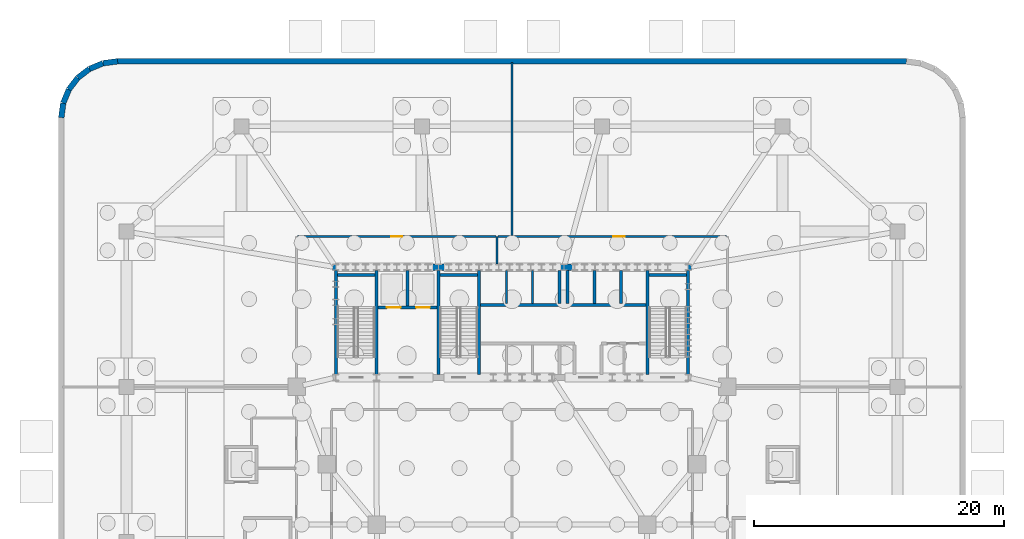
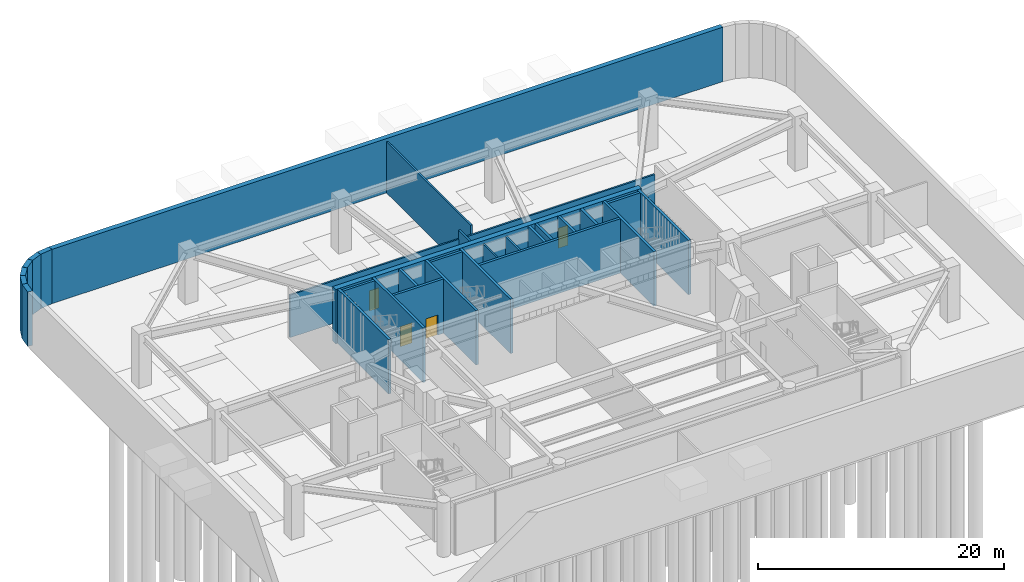
# One storey, part 6 of 11: 30 walls, 4 doors, 4 openings.
"""IFC4 building model written with IfcOpenShell, lengths in metres."""

from ifc_helpers import new_model, si_unit, direction, frame, frame_2d, origin, place, context, subcontext, project, spatial, rectangle, extrude, material, layer, layer_set, type_object, element, fill, save


model = new_model("IFC4")

# Units and contexts
model_context = context("Model", 3, precision=1e-05, world=origin(), true_north=direction((0.0, 1.0)))
body_context = subcontext(model_context, "Body", "Model", "MODEL_VIEW")
ifc_project = project(units=[si_unit("LENGTHUNIT", "METRE"), si_unit("AREAUNIT", "SQUARE_METRE"), si_unit("VOLUMEUNIT", "CUBIC_METRE"), si_unit("PLANEANGLEUNIT", "RADIAN"), si_unit("MASSUNIT", "GRAM", prefix="KILO")], contexts=[model_context])

# Site, building, storey
site_placement = place(None, origin())
site = spatial("IfcSite", under=ifc_project, at=site_placement, CompositionType="ELEMENT")
building_placement = place(site_placement, origin())
building = spatial("IfcBuilding", under=site, at=building_placement, Name="Haldorwick Loom Tower", CompositionType="ELEMENT")
storey_placement = place(building_placement, frame((0.0, 0.0, -5.39990234375)))
storey = spatial("IfcBuildingStorey", under=building, at=storey_placement, Name="B01", CompositionType="ELEMENT", Elevation=-5.39990234375)

# Wall
ifc_material_1 = material(Name="Fire-Rated Type X Gypsum Stud Assembly EI 60")
ifc_layer_1 = layer(ifc_material_1, 0.159912109375, Name="Fire-Rated Type X Gypsum Stud Assembly EI 60")
ifc_layer_set_1 = layer_set([ifc_layer_1], Name="Fire-Rated Type X Gypsum Stud Assembly EI 60")
wall_type_1 = type_object("IfcWallType", Name="ARC-WL-FIRE160", PredefinedType="PARTITIONING", material=ifc_layer_set_1)
wall_1_placement = place(storey_placement, frame((34.800048828125, 35.802978515625, 0.0), z_axis=(0.0, 0.0, 1.0), x_axis=(0.0, 1.0, 0.0)))
element("IfcWall", 1, at=wall_1_placement, inside=storey, type_object=wall_type_1, Name="B01 Podium Partition B01-CNB", PredefinedType="PARTITIONING", context=body_context, shape_type="SweptSolid", body=[
    extrude(rectangle(XDim=2.197021484375, YDim=0.159912109375, at=frame_2d((1.0986328125, 0.0))), origin(), (0.0, 0.0, 1.0), 5.0849609375),
])

# Wall, opening, door
wall_2_placement = place(storey_placement, frame((18.883056640625, 38.0, 0.0), z_axis=(0.0, 0.0, 1.0), x_axis=(1.0, 0.0, 0.0)))
wall_2 = element("IfcWall", 2, at=wall_2_placement, inside=storey, type_object=wall_type_1, Name="B01 Podium Partition B01-CN0", PredefinedType="PARTITIONING", context=body_context, shape_type="SweptSolid", body=[
    extrude(rectangle(XDim=15.833984375, YDim=0.159912109375, at=frame_2d((7.9169921875, 0.0))), origin(), (0.0, 0.0, 1.0), 4.219970703125),
])
opening_1_placement = place(wall_2_placement, frame((7.467041015625, 0.0, 0.0)))
opening_1 = element("IfcOpeningElement", 3, at=opening_1_placement, cuts=wall_2, Name="Opening D-FD60A", PredefinedType="OPENING", context=body_context, shape_type="SweptSolid", body=[
    extrude(rectangle(XDim=0.89990234375, YDim=2.0, at=frame_2d((0.449951171875, 1.0))), frame((0.0, 0.08984375, 0.0), z_axis=(0.0, -1.0, 0.0), x_axis=(1.0, 0.0, 0.0)), (0.0, 0.0, 1.0), 0.179931640625),
])
ifc_material_2 = material(Name="Hollow Steel Fire Door Assembly", Category="steel")
door_type_1 = type_object("IfcDoorType", Name="ARC-DR-FD60-90", OperationType="NOTDEFINED", PredefinedType="DOOR", material=ifc_material_2)
door_1_placement = place(opening_1_placement, frame((0.89990234375, 0.0, 0.0), z_axis=(0.0, 0.0, 1.0), x_axis=(-1.0, 0.0, 0.0)))
door_1 = element("IfcDoor", 4, at=door_1_placement, inside=storey, type_object=door_type_1, Name="B01 Primary Air Handling Plant to Basement Core Service Corridor Door", OperationType="SINGLE_SWING_LEFT", OverallHeight=2.0, OverallWidth=0.89990234375, PredefinedType="DOOR", context=body_context, shape_type="SweptSolid", body=[
    extrude(rectangle(XDim=0.89990234375, YDim=2.0, at=frame_2d((0.449951171875, 1.0))), frame((0.0, 0.02490234375, 0.0), z_axis=(0.0, -1.0, 0.0), x_axis=(1.0, 0.0, 0.0)), (0.0, 0.0, 1.0), 0.050048828125),
])
fill(opening_1, door_1)

wall_3_placement = place(storey_placement, frame((34.883056640625, 38.0, 0.0), z_axis=(0.0, 0.0, 1.0), x_axis=(1.0, 0.0, 0.0)))
wall_3 = element("IfcWall", 5, at=wall_3_placement, inside=storey, type_object=wall_type_1, Name="B01 Podium Partition B01-CN0", PredefinedType="PARTITIONING", context=body_context, shape_type="SweptSolid", body=[
    extrude(rectangle(XDim=18.23388671875, YDim=0.159912109375, at=frame_2d((9.116943359375, 0.0))), origin(), (0.0, 0.0, 1.0), 4.219970703125),
])
opening_2_placement = place(wall_3_placement, frame((9.222900390625, 0.0, 0.0)))
opening_2 = element("IfcOpeningElement", 6, at=opening_2_placement, cuts=wall_3, Name="Opening D-FD60A", PredefinedType="OPENING", context=body_context, shape_type="SweptSolid", body=[
    extrude(rectangle(XDim=0.89990234375, YDim=2.0, at=frame_2d((0.449951171875, 1.0))), frame((0.0, 0.08984375, 0.0), z_axis=(0.0, -1.0, 0.0), x_axis=(1.0, 0.0, 0.0)), (0.0, 0.0, 1.0), 0.179931640625),
])
door_2_placement = place(opening_2_placement, frame((0.89990234375, 0.0, 0.0), z_axis=(0.0, 0.0, 1.0), x_axis=(-1.0, 0.0, 0.0)))
door_2 = element("IfcDoor", 7, at=door_2_placement, inside=storey, type_object=door_type_1, Name="B01 Station Equipment Storage to Basement Core Service Corridor Door", OperationType="SINGLE_SWING_RIGHT", OverallHeight=2.0, OverallWidth=0.89990234375, PredefinedType="DOOR", context=body_context, shape_type="SweptSolid", body=[
    extrude(rectangle(XDim=0.89990234375, YDim=2.0, at=frame_2d((0.449951171875, 1.0))), frame((0.0, 0.02490234375, 0.0), z_axis=(0.0, -1.0, 0.0), x_axis=(1.0, 0.0, 0.0)), (0.0, 0.0, 1.0), 0.050048828125),
])
fill(opening_2, door_2)

# Walls
wall_4_placement = place(storey_placement, frame((36.0, 38.0830078125, 0.0), z_axis=(0.0, 0.0, 1.0), x_axis=(0.0, 1.0, 0.0)))
element("IfcWall", 8, at=wall_4_placement, inside=storey, type_object=wall_type_1, Name="B01 Podium Partition B01-DV2", PredefinedType="PARTITIONING", context=body_context, shape_type="SweptSolid", body=[
    extrude(rectangle(XDim=13.81689453125, YDim=0.159912109375, at=frame_2d((6.908447265625, 0.0))), origin(), (0.0, 0.0, 1.0), 5.0849609375),
])
ifc_material_3 = material(Name="Fire-Rated Type X Gypsum Stud Assembly EI 120")
ifc_layer_2 = layer(ifc_material_3, 0.1650390625, Name="Fire-Rated Type X Gypsum Stud Assembly EI 120")
ifc_layer_set_2 = layer_set([ifc_layer_2], Name="Fire-Rated Type X Gypsum Stud Assembly EI 120")
wall_type_2 = type_object("IfcWallType", Name="ARC-WL-SHAFT160", PredefinedType="MOVABLE", material=ifc_layer_set_2)
for number, where, z_axis, x_axis, name in (
    (9, (35.550048828125, 32.673095703125, 0.0), (0.0, 0.0, 1.0), (0.0, 1.0, 0.0), "B01 Low-Rise Hoistway Divider 1"),
    (10, (37.64990234375, 32.673095703125, 0.0), (0.0, 0.0, 1.0), (0.0, 1.0, 0.0), "B01 Low-Rise Hoistway Divider 2"),
):
    element("IfcWall", number, at=place(storey_placement, frame(where, z_axis=z_axis, x_axis=x_axis)), inside=storey, type_object=wall_type_2, Name=name, PredefinedType="MOVABLE", context=body_context, shape_type="SweptSolid", body=[
        extrude(rectangle(XDim=2.6240234375, YDim=0.159912109375, at=frame_2d((1.31201171875, 0.0))), origin(), (0.0, 0.0, 1.0), 5.0849609375),
    ])
ifc_material_4 = material(Name="Concrete C45 (45 MPa)", Category="concrete")
ifc_layer_3 = layer(ifc_material_4, 0.449951171875, Name="Concrete C45 (45 MPa)", Category="concrete")
ifc_layer_set_3 = layer_set([ifc_layer_3], Name="Concrete C45 (45 MPa)")
wall_type_3 = type_object("IfcWallType", Name="STR-WL-BSMT450", PredefinedType="SOLIDWALL", material=ifc_layer_set_3)
wall_5_placement = place(storey_placement, frame((67.5, 52.0, 0.0), z_axis=(0.0, 0.0, 1.0), x_axis=(-1.0, 0.0, 0.0)))
element("IfcWall", 11, at=wall_5_placement, inside=storey, type_object=wall_type_3, Name="B01 Perimeter Basement Retaining Wall 14", PredefinedType="SOLIDWALL", context=body_context, shape_type="SweptSolid", body=[
    extrude(rectangle(XDim=63.0, YDim=0.449951171875, at=frame_2d((31.5, 0.0))), origin(), (0.0, 0.0, 1.0), 5.39990234375),
])
wall_6_placement = place(storey_placement, frame((4.5, 52.0, 0.0), z_axis=(0.0, 0.0, 1.0), x_axis=(-0.991447928588, -0.130502892298, 0.0)))
element("IfcWall", 12, at=wall_6_placement, inside=storey, type_object=wall_type_3, Name="B01 Perimeter Basement Retaining Wall 15", PredefinedType="SOLIDWALL", context=body_context, shape_type="SweptSolid", body=[
    extrude(rectangle(XDim=1.1748046875, YDim=0.449951171875, at=frame_2d((0.58740234375, 0.0))), origin(), (0.0, 0.0, 1.0), 5.39990234375),
])
wall_7_placement = place(storey_placement, frame((3.335205078125, 51.8466796875, 0.0), z_axis=(0.0, 0.0, 1.0), x_axis=(-0.923892706888, -0.382651625058, 0.0)))
element("IfcWall", 13, at=wall_7_placement, inside=storey, type_object=wall_type_3, Name="B01 Perimeter Basement Retaining Wall 16", PredefinedType="SOLIDWALL", context=body_context, shape_type="SweptSolid", body=[
    extrude(rectangle(XDim=1.174560546875, YDim=0.449951171875, at=frame_2d((0.58740234375, 0.0))), origin(), (0.0, 0.0, 1.0), 5.39990234375),
])
for number, where, z_axis, x_axis, name in (
    (14, (2.25, 51.397216796875, 0.0), (0.0, 0.0, 1.0), (-0.79324162823, -0.60890698735, 0.0), "B01 Perimeter Basement Retaining Wall 17"),
    (15, (1.318115234375, 50.681884765625, 0.0), (0.0, 0.0, 1.0), (-0.60890698735, -0.79324162823, 0.0), "B01 Perimeter Basement Retaining Wall 18"),
):
    element("IfcWall", number, at=place(storey_placement, frame(where, z_axis=z_axis, x_axis=x_axis)), inside=storey, type_object=wall_type_3, Name=name, PredefinedType="SOLIDWALL", context=body_context, shape_type="SweptSolid", body=[
        extrude(rectangle(XDim=1.1748046875, YDim=0.449951171875, at=frame_2d((0.58740234375, 0.0))), origin(), (0.0, 0.0, 1.0), 5.39990234375),
    ])
wall_8_placement = place(storey_placement, frame((0.602783203125, 49.75, 0.0), z_axis=(0.0, 0.0, 1.0), x_axis=(-0.382651625058, -0.923892706888, 0.0)))
element("IfcWall", 16, at=wall_8_placement, inside=storey, type_object=wall_type_3, Name="B01 Perimeter Basement Retaining Wall 19", PredefinedType="SOLIDWALL", context=body_context, shape_type="SweptSolid", body=[
    extrude(rectangle(XDim=1.174560546875, YDim=0.449951171875, at=frame_2d((0.58740234375, 0.0))), origin(), (0.0, 0.0, 1.0), 5.39990234375),
])
wall_9_placement = place(storey_placement, frame((0.1533203125, 48.664794921875, 0.0), z_axis=(0.0, 0.0, 1.0), x_axis=(-0.130502892298, -0.991447928588, 0.0)))
element("IfcWall", 17, at=wall_9_placement, inside=storey, type_object=wall_type_3, Name="B01 Perimeter Basement Retaining Wall 20", PredefinedType="SOLIDWALL", context=body_context, shape_type="SweptSolid", body=[
    extrude(rectangle(XDim=1.1748046875, YDim=0.449951171875, at=frame_2d((0.58740234375, 0.0))), origin(), (0.0, 0.0, 1.0), 5.39990234375),
])
ifc_material_5 = material(Name="Concrete C60 (60 MPa)", Category="concrete")
ifc_layer_4 = layer(ifc_material_5, 0.5, Name="Concrete C60 (60 MPa)", Category="concrete")
ifc_layer_set_4 = layer_set([ifc_layer_4], Name="Concrete C60 (60 MPa)")
wall_type_4 = type_object("IfcWallType", Name="STR-WL-CORE500", PredefinedType="SHEAR", material=ifc_layer_set_4)
wall_10_placement = place(storey_placement, frame((50.35009765625, 35.550048828125, 0.0), z_axis=(0.0, 0.0, 1.0), x_axis=(-1.0, 0.0, 0.0)))
element("IfcWall", 18, at=wall_10_placement, inside=storey, type_object=wall_type_4, Name="B01 Core Shear Wall N", PredefinedType="SHEAR", context=body_context, shape_type="SweptSolid", body=[
    extrude(rectangle(XDim=28.7001953125, YDim=0.5, at=frame_2d((14.35009765625, 0.0))), origin(), (0.0, 0.0, 1.0), 5.39990234375),
])
ifc_material_6 = material(Name="Concrete C50 (50 MPa)", Category="concrete")
ifc_layer_5 = layer(ifc_material_6, 0.239990234375, Name="Concrete C50 (50 MPa)", Category="concrete")
ifc_layer_set_5 = layer_set([ifc_layer_5], Name="Concrete C50 (50 MPa)")
wall_type_5 = type_object("IfcWallType", Name="STR-WL-SHAFT240", PredefinedType="SHEAR", material=ifc_layer_set_5)
for number, where, z_axis, x_axis, name in (
    (19, (21.929931640625, 35.297119140625, 0.0), (0.0, 0.0, 1.0), (0.0, -1.0, 0.0), "B01 Core Shear Wall W"),
    (20, (50.070068359375, 27.0029296875, 0.0), (0.0, 0.0, 1.0), (0.0, 1.0, 0.0), "B01 Core Shear Wall E"),
    (21, (25.169921875, 27.0029296875, 0.0), (0.0, 0.0, 1.0), (0.0, 1.0, 0.0), "B01 Core Shear Wall 1"),
):
    element("IfcWall", number, at=place(storey_placement, frame(where, z_axis=z_axis, x_axis=x_axis)), inside=storey, type_object=wall_type_5, Name=name, PredefinedType="SHEAR", context=body_context, shape_type="SweptSolid", body=[
        extrude(rectangle(XDim=8.294189453125, YDim=0.239990234375, at=frame_2d((4.14697265625, 0.0))), origin(), (0.0, 0.0, 1.0), 5.39990234375),
    ])
wall_11_placement = place(storey_placement, frame((22.052978515625, 34.919921875, 0.0), z_axis=(0.0, 0.0, 1.0), x_axis=(1.0, 0.0, 0.0)))
element("IfcWall", 22, at=wall_11_placement, inside=storey, type_object=wall_type_5, Name="B01 Core Shear Wall 1N", PredefinedType="SHEAR", context=body_context, shape_type="SweptSolid", body=[
    extrude(rectangle(XDim=2.994140625, YDim=0.239990234375, at=frame_2d((1.4970703125, 0.0))), origin(), (0.0, 0.0, 1.0), 5.39990234375),
])
for number, where, z_axis, x_axis, name in (
    (23, (30.1298828125, 27.0029296875, 0.0), (0.0, 0.0, 1.0), (0.0, 1.0, 0.0), "B01 Core Shear Wall 2"),
    (24, (33.3701171875, 27.0029296875, 0.0), (0.0, 0.0, 1.0), (0.0, 1.0, 0.0), "B01 Core Shear Wall 3"),
):
    element("IfcWall", number, at=place(storey_placement, frame(where, z_axis=z_axis, x_axis=x_axis)), inside=storey, type_object=wall_type_5, Name=name, PredefinedType="SHEAR", context=body_context, shape_type="SweptSolid", body=[
        extrude(rectangle(XDim=8.294189453125, YDim=0.239990234375, at=frame_2d((4.14697265625, 0.0))), origin(), (0.0, 0.0, 1.0), 5.39990234375),
    ])
wall_12_placement = place(storey_placement, frame((30.2529296875, 34.919921875, 0.0), z_axis=(0.0, 0.0, 1.0), x_axis=(1.0, 0.0, 0.0)))
element("IfcWall", 25, at=wall_12_placement, inside=storey, type_object=wall_type_5, Name="B01 Core Shear Wall 3N", PredefinedType="SHEAR", context=body_context, shape_type="SweptSolid", body=[
    extrude(rectangle(XDim=2.994140625, YDim=0.239990234375, at=frame_2d((1.4970703125, 0.0))), origin(), (0.0, 0.0, 1.0), 5.39990234375),
])
wall_13_placement = place(storey_placement, frame((46.830078125, 27.0029296875, 0.0), z_axis=(0.0, 0.0, 1.0), x_axis=(0.0, 1.0, 0.0)))
element("IfcWall", 26, at=wall_13_placement, inside=storey, type_object=wall_type_5, Name="B01 Core Shear Wall 4", PredefinedType="SHEAR", context=body_context, shape_type="SweptSolid", body=[
    extrude(rectangle(XDim=8.294189453125, YDim=0.239990234375, at=frame_2d((4.14697265625, 0.0))), origin(), (0.0, 0.0, 1.0), 5.39990234375),
])
wall_14_placement = place(storey_placement, frame((46.952880859375, 34.919921875, 0.0), z_axis=(0.0, 0.0, 1.0), x_axis=(1.0, 0.0, 0.0)))
element("IfcWall", 27, at=wall_14_placement, inside=storey, type_object=wall_type_5, Name="B01 Core Shear Wall 4N", PredefinedType="SHEAR", context=body_context, shape_type="SweptSolid", body=[
    extrude(rectangle(XDim=2.994140625, YDim=0.239990234375, at=frame_2d((1.4970703125, 0.0))), origin(), (0.0, 0.0, 1.0), 5.39990234375),
])

# Wall, openings, doors
wall_15_placement = place(storey_placement, frame((25.29296875, 32.35009765625, 0.0), z_axis=(0.0, 0.0, 1.0), x_axis=(1.0, 0.0, 0.0)))
wall_15 = element("IfcWall", 28, at=wall_15_placement, inside=storey, type_object=wall_type_5, Name="B01 Core Shear Wall FF", PredefinedType="SHEAR", context=body_context, shape_type="SweptSolid", body=[
    extrude(rectangle(XDim=4.714111328125, YDim=0.239990234375, at=frame_2d((2.35693359375, 0.0))), origin(), (0.0, 0.0, 1.0), 5.39990234375),
])
opening_3_placement = place(wall_15_placement, frame((0.70703125, 0.0, 0.0)))
opening_3 = element("IfcOpeningElement", 29, at=opening_3_placement, cuts=wall_15, Name="Opening LD-FF1", PredefinedType="OPENING", context=body_context, shape_type="SweptSolid", body=[
    extrude(rectangle(XDim=1.10009765625, YDim=2.0, at=frame_2d((0.550048828125, 1.0))), frame((0.0, 0.1298828125, 0.0), z_axis=(0.0, -1.0, 0.0), x_axis=(1.0, 0.0, 0.0)), (0.0, 0.0, 1.0), 0.260009765625),
])
opening_4_placement = place(wall_15_placement, frame((3.056884765625, 0.0, 0.0)))
opening_4 = element("IfcOpeningElement", 30, at=opening_4_placement, cuts=wall_15, Name="Opening LD-FF2", PredefinedType="OPENING", context=body_context, shape_type="SweptSolid", body=[
    extrude(rectangle(XDim=1.10009765625, YDim=2.0, at=frame_2d((0.550048828125, 1.0))), frame((0.0, 0.1298828125, 0.0), z_axis=(0.0, -1.0, 0.0), x_axis=(1.0, 0.0, 0.0)), (0.0, 0.0, 1.0), 0.260009765625),
])
door_type_2 = type_object("IfcDoorType", Name="ARC-DR-LD-FF", OperationType="NOTDEFINED", PredefinedType="USERDEFINED", material=ifc_material_2)
door_3_placement = place(opening_3_placement, origin())
door_3 = element("IfcDoor", 31, at=door_3_placement, inside=storey, type_object=door_type_2, Name="B01 Lift LF-FF1 Sliding Landing Door", ObjectType="LANDING DOOR", OperationType="DOUBLE_DOOR_SLIDING", OverallHeight=2.0, OverallWidth=1.10009765625, PredefinedType="USERDEFINED", context=body_context, shape_type="SweptSolid", body=[
    extrude(rectangle(XDim=1.10009765625, YDim=2.0, at=frame_2d((0.550048828125, 1.0))), frame((0.0, 0.02490234375, 0.0), z_axis=(0.0, -1.0, 0.0), x_axis=(1.0, 0.0, 0.0)), (0.0, 0.0, 1.0), 0.050048828125),
])
fill(opening_3, door_3)
door_4_placement = place(opening_4_placement, origin())
door_4 = element("IfcDoor", 32, at=door_4_placement, inside=storey, type_object=door_type_2, Name="B01 Lift LF-FF2 Sliding Landing Door", ObjectType="LANDING DOOR", OperationType="DOUBLE_DOOR_SLIDING", OverallHeight=2.0, OverallWidth=1.10009765625, PredefinedType="USERDEFINED", context=body_context, shape_type="SweptSolid", body=[
    extrude(rectangle(XDim=1.10009765625, YDim=2.0, at=frame_2d((0.550048828125, 1.0))), frame((0.0, 0.02490234375, 0.0), z_axis=(0.0, -1.0, 0.0), x_axis=(1.0, 0.0, 0.0)), (0.0, 0.0, 1.0), 0.050048828125),
])
fill(opening_4, door_4)

# Walls
wall_16_placement = place(storey_placement, frame((27.64990234375, 32.472900390625, 0.0), z_axis=(0.0, 0.0, 1.0), x_axis=(0.0, 1.0, 0.0)))
element("IfcWall", 33, at=wall_16_placement, inside=storey, type_object=wall_type_5, Name="B01 Core Shear Wall FFD", PredefinedType="SHEAR", context=body_context, shape_type="SweptSolid", body=[
    extrude(rectangle(XDim=2.82421875, YDim=0.239990234375, at=frame_2d((1.412109375, 0.0))), origin(), (0.0, 0.0, 1.0), 5.39990234375),
])
wall_17_placement = place(storey_placement, frame((33.492919921875, 32.550048828125, 0.0), z_axis=(0.0, 0.0, 1.0), x_axis=(1.0, 0.0, 0.0)))
element("IfcWall", 34, at=wall_17_placement, inside=storey, type_object=wall_type_5, Name="B01 Core Shear Wall LN", PredefinedType="SHEAR", context=body_context, shape_type="SweptSolid", body=[
    extrude(rectangle(XDim=13.214111328125, YDim=0.239990234375, at=frame_2d((6.60693359375, 0.0))), origin(), (0.0, 0.0, 1.0), 5.39990234375),
])
for number, where, z_axis, x_axis, name in (
    (35, (39.800048828125, 32.673095703125, 0.0), (0.0, 0.0, 1.0), (0.0, 1.0, 0.0), "B01 Core Shear Wall LHW"),
    (36, (40.449951171875, 32.673095703125, 0.0), (0.0, 0.0, 1.0), (0.0, 1.0, 0.0), "B01 Core Shear Wall H0"),
    (37, (42.60009765625, 32.673095703125, 0.0), (0.0, 0.0, 1.0), (0.0, 1.0, 0.0), "B01 Core Shear Wall H1"),
    (38, (44.699951171875, 32.673095703125, 0.0), (0.0, 0.0, 1.0), (0.0, 1.0, 0.0), "B01 Core Shear Wall H2"),
):
    element("IfcWall", number, at=place(storey_placement, frame(where, z_axis=z_axis, x_axis=x_axis)), inside=storey, type_object=wall_type_5, Name=name, PredefinedType="SHEAR", context=body_context, shape_type="SweptSolid", body=[
        extrude(rectangle(XDim=2.6240234375, YDim=0.239990234375, at=frame_2d((1.31201171875, 0.0))), origin(), (0.0, 0.0, 1.0), 5.39990234375),
    ])

save(model, "model.ifc")
